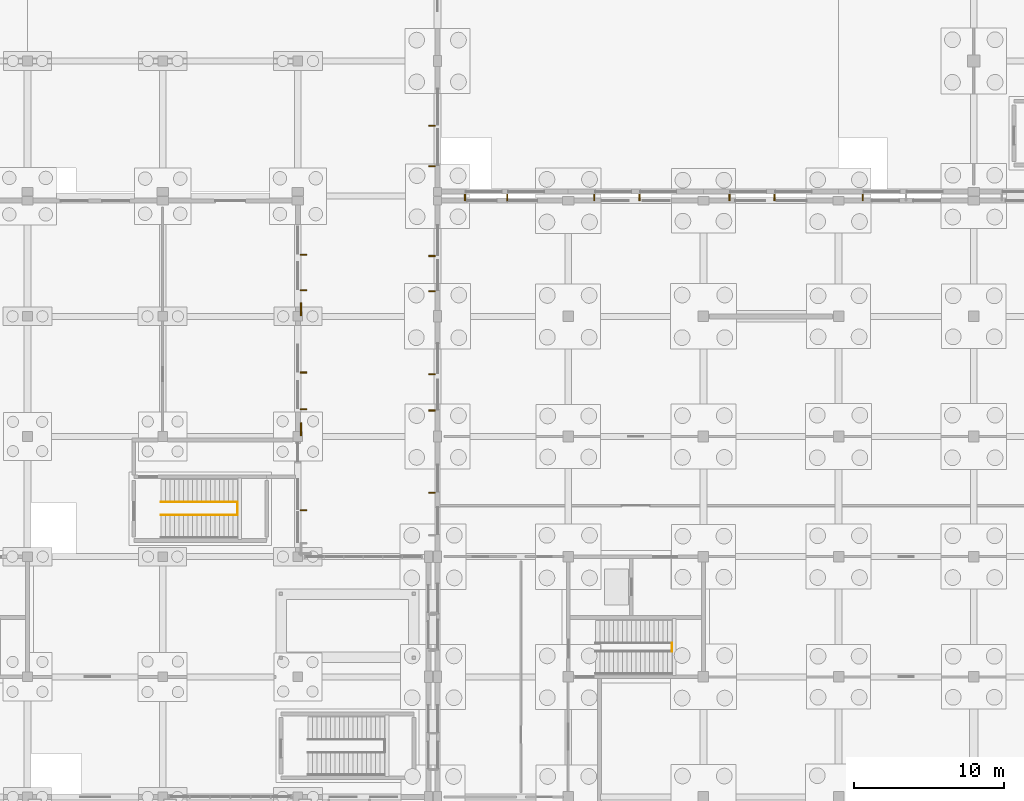
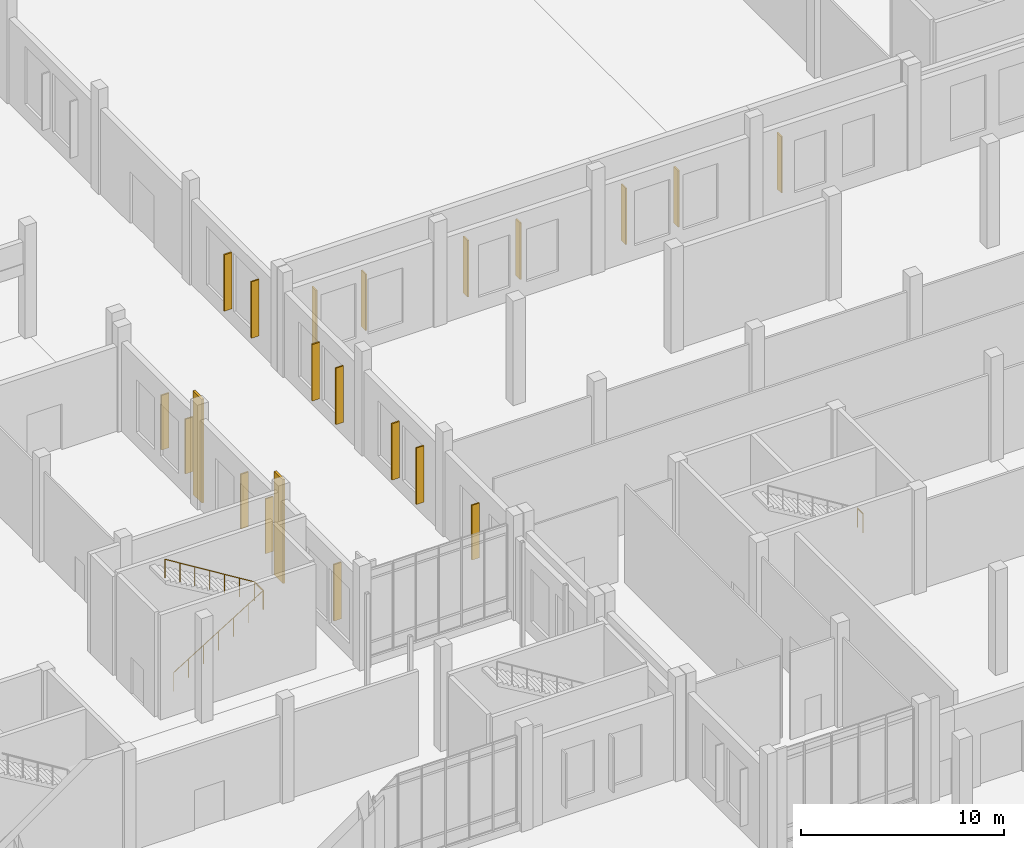
# One storey, part 90 of 99: 19 shading devices, 4 railings, 2 coverings.
"""IFC4 building model written with IfcOpenShell, lengths in metres."""

from ifc_helpers import new_model, si_unit, direction, frame, origin, origin_2d, place, context, subcontext, project, spatial, rectangle, circle, extrude, material, layer, layer_set, type_object, element, save


model = new_model("IFC4")

# Units and contexts
model_context = context("Model", 3, precision=1e-05, world=origin(), true_north=direction((0.0, 1.0)))
body_context = subcontext(model_context, "Body", "Model", "MODEL_VIEW")
ifc_project = project(units=[si_unit("LENGTHUNIT", "METRE"), si_unit("AREAUNIT", "SQUARE_METRE"), si_unit("VOLUMEUNIT", "CUBIC_METRE"), si_unit("PLANEANGLEUNIT", "RADIAN"), si_unit("MASSUNIT", "GRAM", prefix="KILO")], contexts=[model_context])

# Site, building, storey
site_placement = place(None, origin())
site = spatial("IfcSite", under=ifc_project, at=site_placement, CompositionType="ELEMENT")
building_placement = place(site_placement, origin())
building = spatial("IfcBuilding", under=site, at=building_placement, Name="Zacnel Wholesale Market", CompositionType="ELEMENT")
storey_placement = place(building_placement, origin())
storey = spatial("IfcBuildingStorey", under=building, at=storey_placement, Name="L01", CompositionType="ELEMENT", Elevation=0.0)

# Coverings
ifc_material_1 = material(Name="Honed Yucatan Maya cream limestone", Category="masonry")
ifc_layer = layer(ifc_material_1, 0.090087890625)
ifc_layer_set = layer_set([ifc_layer], Name="Honed Yucatan Maya cream limestone")
covering_type = type_object("IfcCoveringType", Name="COV-CLAD-FRET", PredefinedType="CLADDING", material=ifc_layer_set)
for number, where, z_axis, x_axis, name in (
    (1, (135.2099609375, 32.47998046875, 0.02001953125), (0.0, 0.0, 1.0), (0.0, 1.0, 0.0), "Fluted Mayan-Deco limestone pilaster L01-0046"),
    (2, (135.2099609375, 40.47998046875, 0.02001953125), (0.0, 0.0, 1.0), (0.0, 1.0, 0.0), "Fluted Mayan-Deco limestone pilaster L01-0047"),
):
    element("IfcCovering", number, at=place(storey_placement, frame(where, z_axis=z_axis, x_axis=x_axis)), inside=storey, type_object=covering_type, Name=name, PredefinedType="CLADDING", context=body_context, shape_type="SweptSolid", body=[
        extrude(rectangle(XDim=0.85009765625, YDim=0.1201171875, at=origin_2d()), origin(), (0.0, 0.0, 1.0), 6.260009765625),
    ])

# Railings
ifc_material_2 = material(Name="Galvanized steel", Category="steel")
railing_type = type_object("IfcRailingType", Name="RAL-STAIR-GD1150", PredefinedType="BALUSTRADE", material=ifc_material_2)
railing_1_placement = place(storey_placement, frame((159.909912109375, 17.699951171875, 3.14990234375)))
element("IfcRailing", 3, at=railing_1_placement, inside=storey, type_object=railing_type, Name="Stair balustrade INT-STAIR-ST-01-GDIN-2", PredefinedType="BALUSTRADE", context=body_context, shape_type="SweptSolid", body=[
    extrude(circle(Radius=0.02392578125, at=origin_2d()), frame((0.0, 0.0, 1.1259765625), z_axis=(0.0, 1.0, 0.0), x_axis=(-1.0, 0.0, 0.0)), (0.0, 0.0, 1.0), 0.550048828125),
    extrude(circle(Radius=0.02099609375, at=origin_2d()), origin(), (0.0, 0.0, 1.0), 1.101806640625),
    extrude(circle(Radius=0.02099609375, at=origin_2d()), frame((0.0, 0.550048828125, 0.0)), (0.0, 0.0, 1.0), 1.101806640625),
])
railing_2_placement = place(storey_placement, frame((125.8798828125, 26.77001953125, 0.0)))
element("IfcRailing", 4, at=railing_2_placement, inside=storey, type_object=railing_type, Name="Stair balustrade INT-STAIR-ST-19-GDIN-1", PredefinedType="BALUSTRADE", context=body_context, shape_type="SweptSolid", body=[
    extrude(circle(Radius=0.02392578125, at=origin_2d()), frame((0.0, 0.0, 1.1259765625), z_axis=(0.850809779473, 0.0, 0.52547380444), x_axis=(0.0, 1.0, 0.0)), (0.0, 0.0, 1.0), 5.994384765625),
    extrude(circle(Radius=0.02099609375, at=origin_2d()), origin(), (0.0, 0.0, 1.0), 1.101806640625),
    extrude(circle(Radius=0.02099609375, at=origin_2d()), frame((0.85009765625, 0.0, 0.52490234375)), (0.0, 0.0, 1.0), 1.101806640625),
    extrude(circle(Radius=0.02099609375, at=origin_2d()), frame((1.699951171875, 0.0, 1.050048828125)), (0.0, 0.0, 1.0), 1.101806640625),
    extrude(circle(Radius=0.02099609375, at=origin_2d()), frame((2.550048828125, 0.0, 1.574951171875)), (0.0, 0.0, 1.0), 1.101806640625),
    extrude(circle(Radius=0.02099609375, at=origin_2d()), frame((3.400146484375, 0.0, 2.099853515625)), (0.0, 0.0, 1.0), 1.101806640625),
    extrude(circle(Radius=0.02099609375, at=origin_2d()), frame((4.25, 0.0, 2.625)), (0.0, 0.0, 1.0), 1.101806640625),
    extrude(circle(Radius=0.02099609375, at=origin_2d()), frame((5.10009765625, 0.0, 3.14990234375)), (0.0, 0.0, 1.0), 1.101806640625),
])
railing_3_placement = place(storey_placement, frame((130.97998046875, 26.77001953125, 3.14990234375)))
element("IfcRailing", 5, at=railing_3_placement, inside=storey, type_object=railing_type, Name="Stair balustrade INT-STAIR-ST-19-GDIN-2", PredefinedType="BALUSTRADE", context=body_context, shape_type="SweptSolid", body=[
    extrude(circle(Radius=0.02392578125, at=origin_2d()), frame((0.0, 0.0, 1.1259765625), z_axis=(0.0, 1.0, 0.0), x_axis=(-1.0, 0.0, 0.0)), (0.0, 0.0, 1.0), 0.85986328125),
    extrude(circle(Radius=0.02099609375, at=origin_2d()), origin(), (0.0, 0.0, 1.0), 1.101806640625),
    extrude(circle(Radius=0.02099609375, at=origin_2d()), frame((0.0, 0.85986328125, 0.0)), (0.0, 0.0, 1.0), 1.101806640625),
])
railing_4_placement = place(storey_placement, frame((130.97998046875, 27.6298828125, 3.14990234375)))
element("IfcRailing", 6, at=railing_4_placement, inside=storey, type_object=railing_type, Name="Stair balustrade INT-STAIR-ST-19-GDIN-3", PredefinedType="BALUSTRADE", context=body_context, shape_type="SweptSolid", body=[
    extrude(circle(Radius=0.02392578125, at=origin_2d()), frame((0.0, 0.0, 1.1259765625), z_axis=(-0.850791570709, 0.0, 0.525503285632), x_axis=(0.0, -1.0, 0.0)), (0.0, 0.0, 1.0), 5.99462890625),
    extrude(circle(Radius=0.02099609375, at=origin_2d()), origin(), (0.0, 0.0, 1.0), 1.101806640625),
    extrude(circle(Radius=0.02099609375, at=origin_2d()), frame((-0.85009765625, 0.0, 0.52490234375)), (0.0, 0.0, 1.0), 1.101806640625),
    extrude(circle(Radius=0.02099609375, at=origin_2d()), frame((-1.699951171875, 0.0, 1.050048828125)), (0.0, 0.0, 1.0), 1.101806640625),
    extrude(circle(Radius=0.02099609375, at=origin_2d()), frame((-2.550048828125, 0.0, 1.5751953125)), (0.0, 0.0, 1.0), 1.101806640625),
    extrude(circle(Radius=0.02099609375, at=origin_2d()), frame((-3.400146484375, 0.0, 2.10009765625)), (0.0, 0.0, 1.0), 1.101806640625),
    extrude(circle(Radius=0.02099609375, at=origin_2d()), frame((-4.25, 0.0, 2.625)), (0.0, 0.0, 1.0), 1.101806640625),
    extrude(circle(Radius=0.02099609375, at=origin_2d()), frame((-5.10009765625, 0.0, 3.150146484375)), (0.0, 0.0, 1.0), 1.101806640625),
])

# Shading devices
ifc_material_3 = material(Name="Honed Yucatan Maya cream limestone", Category="masonry")
shading_device_type = type_object("IfcShadingDeviceType", Name="SHD-FIN-V450", PredefinedType="USERDEFINED", material=ifc_material_3)
shading_device_placement = place(storey_placement, frame((135.3798828125, 27.0849609375, 0.800048828125), z_axis=(0.0, 0.0, 1.0), x_axis=(0.0, 1.0, 0.0)))
element("IfcShadingDevice", 7, at=shading_device_placement, inside=storey, type_object=shading_device_type, Name="Limestone sunshade fin 0050", ObjectType="SUNSHADE", PredefinedType="USERDEFINED", context=body_context, shape_type="SweptSolid", body=[
    extrude(rectangle(XDim=0.080078125, YDim=0.43994140625, at=origin_2d()), origin(), (0.0, 0.0, 1.0), 3.39990234375),
])
for number, where, z_axis, x_axis, name in (
    (8, (135.3798828125, 33.81494140625, 0.77490234375), (0.0, 0.0, 1.0), (0.0, 1.0, 0.0), "Limestone sunshade fin 0051"),
    (9, (135.3798828125, 36.264892578125, 0.77490234375), (0.0, 0.0, 1.0), (0.0, 1.0, 0.0), "Limestone sunshade fin 0052"),
    (10, (135.3798828125, 41.73193359375, 0.77490234375), (0.0, 0.0, 1.0), (0.0, 1.0, 0.0), "Limestone sunshade fin 0053"),
    (11, (135.3798828125, 44.097900390625, 0.77490234375), (0.0, 0.0, 1.0), (0.0, 1.0, 0.0), "Limestone sunshade fin 0054"),
    (12, (143.919921875, 28.248046875, 0.77490234375), (0.0, 0.0, 1.0), (0.0, 1.0, 0.0), "Limestone sunshade fin 0062"),
):
    element("IfcShadingDevice", number, at=place(storey_placement, frame(where, z_axis=z_axis, x_axis=x_axis)), inside=storey, type_object=shading_device_type, Name=name, ObjectType="SUNSHADE", PredefinedType="USERDEFINED", context=body_context, shape_type="SweptSolid", body=[
        extrude(rectangle(XDim=0.080078125, YDim=0.43994140625, at=origin_2d()), origin(), (0.0, 0.0, 1.0), 3.300048828125),
    ])
for number, where, z_axis, x_axis, name in (
    (13, (143.919921875, 33.73193359375, 0.800048828125), (0.0, 0.0, 1.0), (0.0, 1.0, 0.0), "Limestone sunshade fin 0063"),
    (14, (143.919921875, 36.14794921875, 0.800048828125), (0.0, 0.0, 1.0), (0.0, 1.0, 0.0), "Limestone sunshade fin 0064"),
    (15, (143.919921875, 41.6650390625, 0.800048828125), (0.0, 0.0, 1.0), (0.0, 1.0, 0.0), "Limestone sunshade fin 0065"),
    (16, (143.919921875, 44.014892578125, 0.800048828125), (0.0, 0.0, 1.0), (0.0, 1.0, 0.0), "Limestone sunshade fin 0066"),
    (17, (146.123046875, 47.919921875, 0.949951171875), (0.0, 0.0, 1.0), (1.0, 0.0, 0.0), "Limestone sunshade fin 0097"),
    (18, (148.931884765625, 47.919921875, 0.949951171875), (0.0, 0.0, 1.0), (1.0, 0.0, 0.0), "Limestone sunshade fin 0098"),
    (19, (154.739990234375, 47.919921875, 0.949951171875), (0.0, 0.0, 1.0), (1.0, 0.0, 0.0), "Limestone sunshade fin 0099"),
    (20, (157.739990234375, 47.919921875, 0.949951171875), (0.0, 0.0, 1.0), (1.0, 0.0, 0.0), "Limestone sunshade fin 0100"),
    (21, (163.739990234375, 47.919921875, 0.949951171875), (0.0, 0.0, 1.0), (1.0, 0.0, 0.0), "Limestone sunshade fin 0101"),
    (22, (166.739990234375, 47.919921875, 0.949951171875), (0.0, 0.0, 1.0), (1.0, 0.0, 0.0), "Limestone sunshade fin 0102"),
    (23, (172.614990234375, 47.919921875, 0.949951171875), (0.0, 0.0, 1.0), (1.0, 0.0, 0.0), "Limestone sunshade fin 0103"),
    (24, (143.919921875, 49.998046875, 0.949951171875), (0.0, 0.0, 1.0), (0.0, 1.0, 0.0), "Limestone sunshade fin 0113"),
    (25, (143.919921875, 52.681884765625, 0.949951171875), (0.0, 0.0, 1.0), (0.0, 1.0, 0.0), "Limestone sunshade fin 0114"),
):
    element("IfcShadingDevice", number, at=place(storey_placement, frame(where, z_axis=z_axis, x_axis=x_axis)), inside=storey, type_object=shading_device_type, Name=name, ObjectType="SUNSHADE", PredefinedType="USERDEFINED", context=body_context, shape_type="SweptSolid", body=[
        extrude(rectangle(XDim=0.080078125, YDim=0.43994140625, at=origin_2d()), origin(), (0.0, 0.0, 1.0), 3.39990234375),
    ])

save(model, "model.ifc")
